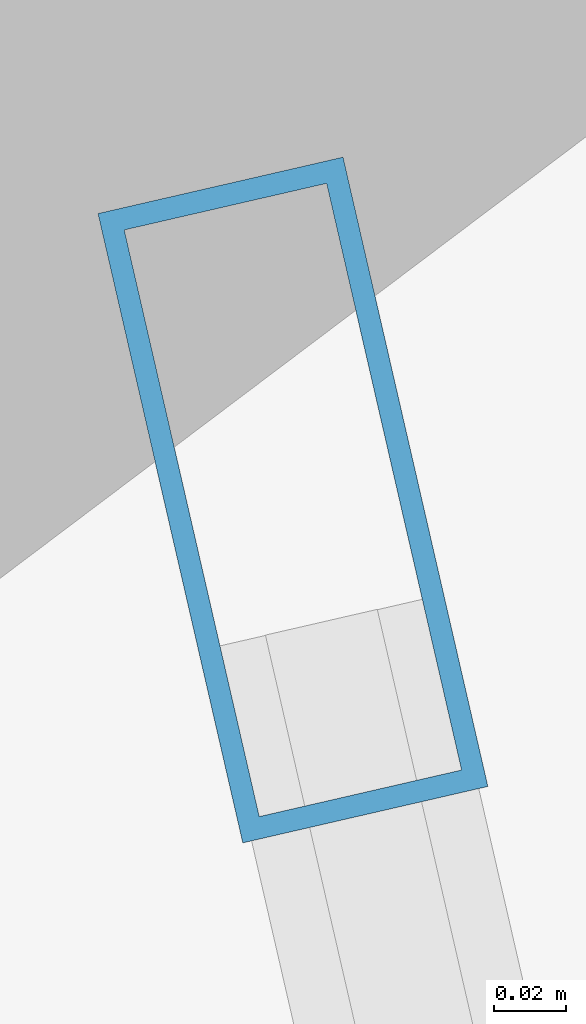
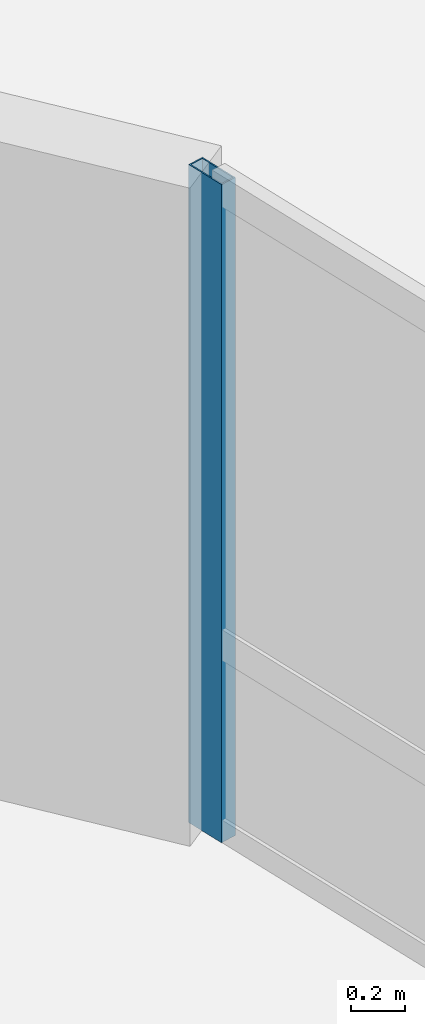
# One storey, part 7 of 15: 1 member, 1 element without a shape of its own.
"""IFC4 building model written with IfcOpenShell, lengths in metres."""

from ifc_helpers import new_model, si_unit, direction, frame, origin, origin_2d, place, context, subcontext, project, spatial, hollow_rectangle, extrude, material, layer, layer_set, material_profile, profile_set, type_object, element, aggregate, save


model = new_model("IFC4")

# Units and contexts
model_context = context("Model", 3, precision=1e-05, world=origin(), true_north=direction((0.0, 1.0)))
body_context = subcontext(model_context, "Body", "Model", "MODEL_VIEW")
ifc_project = project(units=[si_unit("LENGTHUNIT", "METRE"), si_unit("AREAUNIT", "SQUARE_METRE"), si_unit("VOLUMEUNIT", "CUBIC_METRE"), si_unit("PLANEANGLEUNIT", "RADIAN"), si_unit("MASSUNIT", "GRAM", prefix="KILO"), si_unit("THERMODYNAMICTEMPERATUREUNIT", "KELVIN"), si_unit("POWERUNIT", "WATT")], contexts=[model_context])

# Site, building, storey
site_placement = place(None, origin())
site = spatial("IfcSite", under=ifc_project, at=site_placement, CompositionType="ELEMENT")
building_placement = place(site_placement, origin())
building = spatial("IfcBuilding", under=site, at=building_placement, Name="Ocrelia Relay Tower", CompositionType="ELEMENT")
storey_placement = place(building_placement, frame((0.0, 0.0, 30.0)))
storey = spatial("IfcBuildingStorey", under=building, at=storey_placement, Name="L06", CompositionType="ELEMENT", Elevation=30.0)

# Curtain wall, member
ifc_material_1 = material(Name="Aluminium and solar-control low-E glass", Category="aluminium")
ifc_layer = layer(ifc_material_1, 0.179931640625, Name="Aluminium and solar-control low-E glass")
ifc_layer_set = layer_set([ifc_layer], Name="Aluminium and solar-control low-E glass")
curtain_wall_type = type_object("IfcCurtainWallType", Name="CW-SYS-Z1-DATA", PredefinedType="NOTDEFINED", material=ifc_layer_set)
curtain_wall_placement = place(storey_placement, origin())
curtain_wall = element("IfcCurtainWall", 1, at=curtain_wall_placement, inside=storey, type_object=curtain_wall_type, Name="L06 Elliptical Tower Curtain Wall Bay 01", PredefinedType="NOTDEFINED")
ifc_material_2 = material(Name="Anodised bronze aluminium", Category="aluminium")
ifc_material_profile = material_profile(ifc_material_2, hollow_rectangle(XDim=0.070068359375, YDim=0.179931640625, WallThickness=0.006103515625, at=origin_2d()), Name="CW-MUL-180x70")
ifc_profile_set = profile_set([ifc_material_profile], Name="Anodised bronze aluminium")
member_type = type_object("IfcMemberType", Name="CW-SYS-Z1-DATA-MUL", PredefinedType="MULLION", material=ifc_profile_set)
member_placement = place(storey_placement, frame((60.13134765625, 33.2509765625, 0.0), z_axis=(0.0, 0.0, 1.0), x_axis=(-0.974527418542, -0.224268389459, 0.0)))
member = element("IfcMember", 2, at=member_placement, type_object=member_type, Name="CW-Z1 mullion 3", PredefinedType="MULLION", context=body_context, shape_type="SweptSolid", body=[
    extrude(hollow_rectangle(XDim=0.070068359375, YDim=0.179931640625, WallThickness=0.006103515625, at=origin_2d()), origin(), (0.0, 0.0, 1.0), 3.0),
])
aggregate(curtain_wall, [member])

save(model, "model.ifc")
